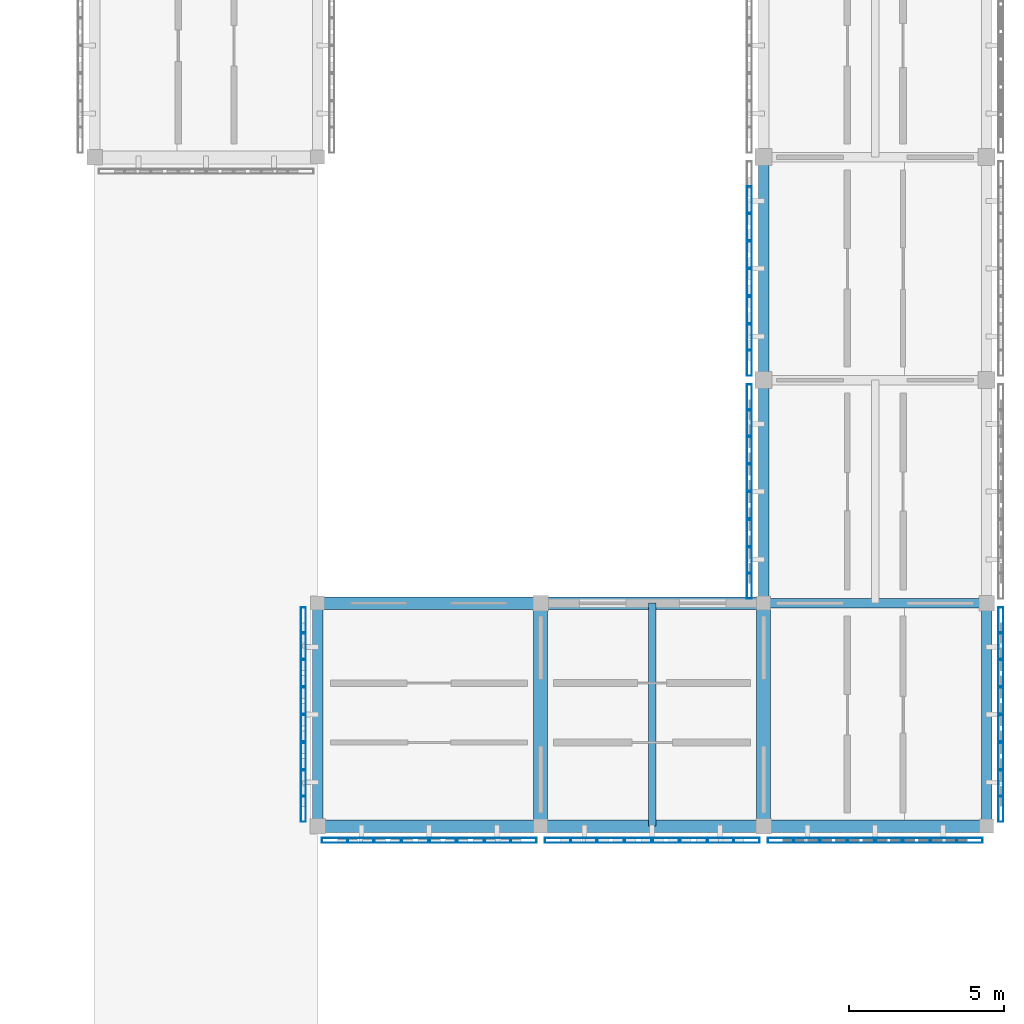
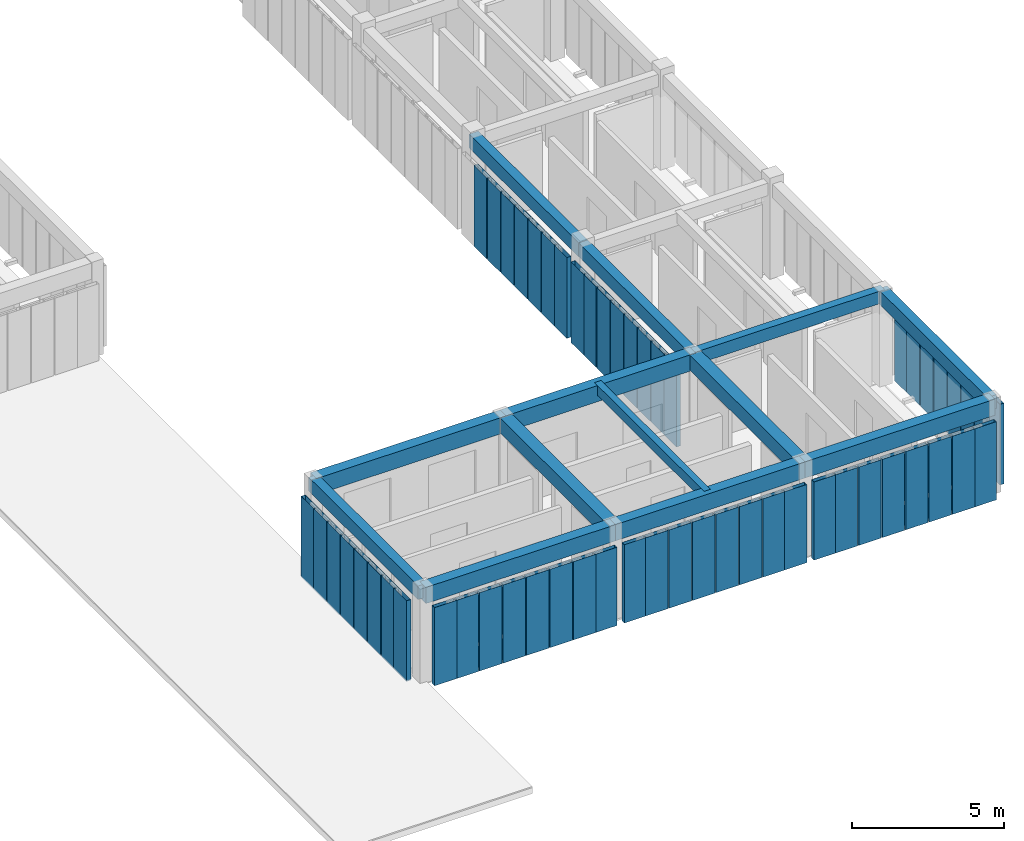
# One storey, part 9 of 67: 55 members, 13 beams, 7 elements without a shape of their own.
"""IFC4 building model written with IfcOpenShell, lengths in metres."""

from ifc_helpers import new_model, si_unit, direction, frame, origin, origin_2d, place, context, subcontext, project, spatial, rectangle, hollow_rectangle, extrude, material, material_profile, profile_set, type_object, element, aggregate, save


model = new_model("IFC4")

# Units and contexts
model_context = context("Model", 3, precision=1e-05, world=origin(), true_north=direction((0.0, 1.0)))
body_context = subcontext(model_context, "Body", "Model", "MODEL_VIEW")
ifc_project = project(units=[si_unit("LENGTHUNIT", "METRE"), si_unit("AREAUNIT", "SQUARE_METRE"), si_unit("VOLUMEUNIT", "CUBIC_METRE"), si_unit("PLANEANGLEUNIT", "RADIAN"), si_unit("MASSUNIT", "GRAM", prefix="KILO")], contexts=[model_context])

# Site, building, storey
site_placement = place(None, origin())
site = spatial("IfcSite", under=ifc_project, at=site_placement, CompositionType="ELEMENT")
building_placement = place(site_placement, origin())
building = spatial("IfcBuilding", under=site, at=building_placement, Name="Aldebral Square Health Centre", CompositionType="ELEMENT")
storey_placement = place(building_placement, frame((0.0, 0.0, 13.5)))
storey = spatial("IfcBuildingStorey", under=building, at=storey_placement, Name="L03", CompositionType="ELEMENT", Elevation=13.5)

# Beams
ifc_material_1 = material(Name="Concrete C40/50", Category="concrete")
ifc_material_profile_1 = material_profile(ifc_material_1, rectangle(XDim=0.39990234375, YDim=0.64990234375, at=origin_2d()), Name="RC 400x650")
ifc_profile_set_1 = profile_set([ifc_material_profile_1], Name="Concrete C40/50")
beam_type_1 = type_object("IfcBeamType", Name="BM-B1", PredefinedType="BEAM", material=ifc_profile_set_1)
for number, where, z_axis, x_axis, name in (
    (1, (144.0, 57.60009765625, 3.465087890625), (1.0, 0.0, 0.0), (0.0, 1.0, 0.0), "L03 X-beam 21-22/G9"),
    (2, (144.0, 64.800048828125, 3.465087890625), (1.0, 0.0, 0.0), (0.0, 1.0, 0.0), "L03 X-beam 21-22/G10"),
    (3, (151.199951171875, 57.60009765625, 3.465087890625), (1.0, 0.0, 0.0), (0.0, 1.0, 0.0), "L03 X-beam 22-23/G9"),
    (4, (151.199951171875, 64.800048828125, 3.465087890625), (1.0, 0.0, 0.0), (0.0, 1.0, 0.0), "L03 X-beam 22-23/G10"),
):
    element("IfcBeam", number, at=place(storey_placement, frame(where, z_axis=z_axis, x_axis=x_axis)), inside=storey, type_object=beam_type_1, Name=name, PredefinedType="BEAM", context=body_context, shape_type="SweptSolid", body=[
        extrude(rectangle(XDim=0.39990234375, YDim=0.64990234375, at=origin_2d()), origin(), (0.0, 0.0, 1.0), 7.199951171875),
    ])
beam_1_placement = place(storey_placement, frame((158.39990234375, 57.60009765625, 3.465087890625), z_axis=(1.0, 0.0, 0.0), x_axis=(0.0, 1.0, 0.0)))
element("IfcBeam", 5, at=beam_1_placement, inside=storey, type_object=beam_type_1, Name="L03 X-beam 23-24/G9", PredefinedType="BEAM", context=body_context, shape_type="SweptSolid", body=[
    extrude(rectangle(XDim=0.39990234375, YDim=0.64990234375, at=origin_2d()), origin(), (0.0, 0.0, 1.0), 7.2001953125),
])
ifc_material_profile_2 = material_profile(ifc_material_1, rectangle(XDim=0.35009765625, YDim=0.550048828125, at=origin_2d()), Name="RC 350x550")
ifc_profile_set_2 = profile_set([ifc_material_profile_2], Name="Concrete C40/50")
beam_type_2 = type_object("IfcBeamType", Name="BM-B3", PredefinedType="BEAM", material=ifc_profile_set_2)
for number, where, z_axis, x_axis, name in (
    (6, (144.0, 57.60009765625, 3.514892578125), (0.0, 1.0, 0.0), (-1.0, 0.0, 0.0), "L03 Y-beam G21/9-10"),
    (7, (158.39990234375, 64.800048828125, 3.514892578125), (0.0, 1.0, 0.0), (-1.0, 0.0, 0.0), "L03 Y-beam G23/10-11"),
    (8, (158.39990234375, 72.0, 3.514892578125), (0.0, 1.0, 0.0), (-1.0, 0.0, 0.0), "L03 Y-beam G23/11-12"),
    (9, (165.60009765625, 57.60009765625, 3.514892578125), (0.0, 1.0, 0.0), (-1.0, 0.0, 0.0), "L03 Y-beam G24/9-10"),
):
    element("IfcBeam", number, at=place(storey_placement, frame(where, z_axis=z_axis, x_axis=x_axis)), inside=storey, type_object=beam_type_2, Name=name, PredefinedType="BEAM", context=body_context, shape_type="SweptSolid", body=[
        extrude(rectangle(XDim=0.35009765625, YDim=0.550048828125, at=origin_2d()), origin(), (0.0, 0.0, 1.0), 7.199951171875),
    ])
ifc_material_profile_3 = material_profile(ifc_material_1, rectangle(XDim=0.300048828125, YDim=0.5, at=origin_2d()), Name="RC 300x500")
ifc_profile_set_3 = profile_set([ifc_material_profile_3], Name="Concrete C40/50")
beam_type_3 = type_object("IfcBeamType", Name="BM-B4", PredefinedType="BEAM", material=ifc_profile_set_3)
beam_2_placement = place(storey_placement, frame((158.39990234375, 64.800048828125, 3.5400390625), z_axis=(1.0, 0.0, 0.0), x_axis=(0.0, 1.0, 0.0)))
element("IfcBeam", 10, at=beam_2_placement, inside=storey, type_object=beam_type_3, Name="L03 X-beam 23-24/G10", PredefinedType="BEAM", context=body_context, shape_type="SweptSolid", body=[
    extrude(rectangle(XDim=0.300048828125, YDim=0.5, at=origin_2d()), origin(), (0.0, 0.0, 1.0), 7.2001953125),
])
ifc_material_profile_4 = material_profile(ifc_material_1, rectangle(XDim=0.25, YDim=0.39990234375, at=origin_2d()), Name="RC 250x400")
ifc_profile_set_4 = profile_set([ifc_material_profile_4], Name="Concrete C40/50")
beam_type_4 = type_object("IfcBeamType", Name="BM-B6", PredefinedType="JOIST", material=ifc_profile_set_4)
beam_3_placement = place(storey_placement, frame((154.800048828125, 57.60009765625, 3.590087890625), z_axis=(0.0, 1.0, 0.0), x_axis=(-1.0, 0.0, 0.0)))
element("IfcBeam", 11, at=beam_3_placement, inside=storey, type_object=beam_type_4, Name="L03 secondary rib 22.9", PredefinedType="JOIST", context=body_context, shape_type="SweptSolid", body=[
    extrude(rectangle(XDim=0.25, YDim=0.39990234375, at=origin_2d()), origin(), (0.0, 0.0, 1.0), 7.199951171875),
])
ifc_material_profile_5 = material_profile(ifc_material_1, rectangle(XDim=0.449951171875, YDim=0.60009765625, at=origin_2d()), Name="RC 450x600")
ifc_profile_set_5 = profile_set([ifc_material_profile_5], Name="Concrete C40/50")
beam_type_5 = type_object("IfcBeamType", Name="BM-LN1", PredefinedType="LINTEL", material=ifc_profile_set_5)
for number, where, z_axis, x_axis, name in (
    (12, (151.199951171875, 57.60009765625, 3.489990234375), (0.0, 1.0, 0.0), (-1.0, 0.0, 0.0), "L03 Y-beam G22/9-10"),
    (13, (158.39990234375, 57.60009765625, 3.489990234375), (0.0, 1.0, 0.0), (-1.0, 0.0, 0.0), "L03 Y-beam G23/9-10"),
):
    element("IfcBeam", number, at=place(storey_placement, frame(where, z_axis=z_axis, x_axis=x_axis)), inside=storey, type_object=beam_type_5, Name=name, PredefinedType="LINTEL", context=body_context, shape_type="SweptSolid", body=[
        extrude(rectangle(XDim=0.449951171875, YDim=0.60009765625, at=origin_2d()), origin(), (0.0, 0.0, 1.0), 7.199951171875),
    ])

# Curtain wall, members
ifc_material_2 = material(Name="Aluminium and low-E solar glass", Category="aluminium")
curtain_wall_type = type_object("IfcCurtainWallType", Name="CW-FIN-SYS", PredefinedType="USERDEFINED", material=ifc_material_2)
curtain_wall_1_placement = place(storey_placement, origin())
curtain_wall_1 = element("IfcCurtainWall", 14, at=curtain_wall_1_placement, inside=storey, type_object=curtain_wall_type, Name="L03 V5 finned curtain wall L03-V5-20-08-S", ObjectType="SOLAR_CURTAIN_WALL", PredefinedType="USERDEFINED")
ifc_material_3 = material(Name="Sienna-terracotta clad aluminium fin", Category="masonry")
ifc_material_profile_6 = material_profile(ifc_material_3, hollow_rectangle(XDim=0.159912109375, YDim=0.85009765625, WallThickness=0.006103515625, at=origin_2d()), Name="FIN 160x850x6")
ifc_profile_set_6 = profile_set([ifc_material_profile_6], Name="Sienna-terracotta clad aluminium fin")
member_type = type_object("IfcMemberType", Name="CWM-FIN", PredefinedType="MULLION", material=ifc_profile_set_6)
member_1_placement = place(storey_placement, frame((144.56005859375, 57.139892578125, 0.0), z_axis=(0.0, 0.0, 1.0), x_axis=(0.0, 1.0, 0.0)))
member_1 = element("IfcMember", 15, at=member_1_placement, type_object=member_type, Name="CW1 mullion 1", PredefinedType="MULLION", context=body_context, shape_type="SweptSolid", body=[
    extrude(hollow_rectangle(XDim=0.159912109375, YDim=0.85009765625, WallThickness=0.006103515625, at=origin_2d()), origin(), (0.0, 0.0, 1.0), 3.139892578125),
])
member_2_placement = place(storey_placement, frame((145.371337890625, 57.139892578125, 0.0), z_axis=(0.0, 0.0, 1.0), x_axis=(0.0, 1.0, 0.0)))
member_2 = element("IfcMember", 16, at=member_2_placement, type_object=member_type, Name="CW1 mullion 2", PredefinedType="MULLION", context=body_context, shape_type="SweptSolid", body=[
    extrude(hollow_rectangle(XDim=0.159912109375, YDim=0.85009765625, WallThickness=0.006103515625, at=origin_2d()), origin(), (0.0, 0.0, 1.0), 3.139892578125),
])
member_3_placement = place(storey_placement, frame((146.262939453125, 57.139892578125, 0.0), z_axis=(0.0, 0.0, 1.0), x_axis=(0.0, 1.0, 0.0)))
member_3 = element("IfcMember", 17, at=member_3_placement, type_object=member_type, Name="CW1 mullion 3", PredefinedType="MULLION", context=body_context, shape_type="SweptSolid", body=[
    extrude(hollow_rectangle(XDim=0.159912109375, YDim=0.85009765625, WallThickness=0.006103515625, at=origin_2d()), origin(), (0.0, 0.0, 1.0), 3.139892578125),
])
member_4_placement = place(storey_placement, frame((147.154296875, 57.139892578125, 0.0), z_axis=(0.0, 0.0, 1.0), x_axis=(0.0, 1.0, 0.0)))
member_4 = element("IfcMember", 18, at=member_4_placement, type_object=member_type, Name="CW1 mullion 4", PredefinedType="MULLION", context=body_context, shape_type="SweptSolid", body=[
    extrude(hollow_rectangle(XDim=0.159912109375, YDim=0.85009765625, WallThickness=0.006103515625, at=origin_2d()), origin(), (0.0, 0.0, 1.0), 3.139892578125),
])
member_5_placement = place(storey_placement, frame((148.045654296875, 57.139892578125, 0.0), z_axis=(0.0, 0.0, 1.0), x_axis=(0.0, 1.0, 0.0)))
member_5 = element("IfcMember", 19, at=member_5_placement, type_object=member_type, Name="CW1 mullion 5", PredefinedType="MULLION", context=body_context, shape_type="SweptSolid", body=[
    extrude(hollow_rectangle(XDim=0.159912109375, YDim=0.85009765625, WallThickness=0.006103515625, at=origin_2d()), origin(), (0.0, 0.0, 1.0), 3.139892578125),
])
member_6_placement = place(storey_placement, frame((148.937255859375, 57.139892578125, 0.0), z_axis=(0.0, 0.0, 1.0), x_axis=(0.0, 1.0, 0.0)))
member_6 = element("IfcMember", 20, at=member_6_placement, type_object=member_type, Name="CW1 mullion 6", PredefinedType="MULLION", context=body_context, shape_type="SweptSolid", body=[
    extrude(hollow_rectangle(XDim=0.159912109375, YDim=0.85009765625, WallThickness=0.006103515625, at=origin_2d()), origin(), (0.0, 0.0, 1.0), 3.139892578125),
])
member_7_placement = place(storey_placement, frame((149.82861328125, 57.139892578125, 0.0), z_axis=(0.0, 0.0, 1.0), x_axis=(0.0, 1.0, 0.0)))
member_7 = element("IfcMember", 21, at=member_7_placement, type_object=member_type, Name="CW1 mullion 7", PredefinedType="MULLION", context=body_context, shape_type="SweptSolid", body=[
    extrude(hollow_rectangle(XDim=0.159912109375, YDim=0.85009765625, WallThickness=0.006103515625, at=origin_2d()), origin(), (0.0, 0.0, 1.0), 3.139892578125),
])
member_8_placement = place(storey_placement, frame((150.639892578125, 57.139892578125, 0.0), z_axis=(0.0, 0.0, 1.0), x_axis=(0.0, 1.0, 0.0)))
member_8 = element("IfcMember", 22, at=member_8_placement, type_object=member_type, Name="CW1 mullion 8", PredefinedType="MULLION", context=body_context, shape_type="SweptSolid", body=[
    extrude(hollow_rectangle(XDim=0.159912109375, YDim=0.85009765625, WallThickness=0.006103515625, at=origin_2d()), origin(), (0.0, 0.0, 1.0), 3.139892578125),
])
aggregate(curtain_wall_1, [member_1, member_2, member_3, member_4, member_5, member_6, member_7, member_8])

curtain_wall_2_placement = place(storey_placement, origin())
curtain_wall_2 = element("IfcCurtainWall", 23, at=curtain_wall_2_placement, inside=storey, type_object=curtain_wall_type, Name="L03 V5 finned curtain wall L03-V5-20-08-W", ObjectType="SOLAR_CURTAIN_WALL", PredefinedType="USERDEFINED")
member_9_placement = place(storey_placement, frame((143.5400390625, 64.239990234375, 0.0), z_axis=(0.0, 0.0, 1.0), x_axis=(1.0, 0.0, 0.0)))
member_9 = element("IfcMember", 24, at=member_9_placement, type_object=member_type, Name="CW1 mullion 1", PredefinedType="MULLION", context=body_context, shape_type="SweptSolid", body=[
    extrude(hollow_rectangle(XDim=0.159912109375, YDim=0.85009765625, WallThickness=0.006103515625, at=origin_2d()), origin(), (0.0, 0.0, 1.0), 3.239990234375),
])
member_10_placement = place(storey_placement, frame((143.5400390625, 63.428466796875, 0.0), z_axis=(0.0, 0.0, 1.0), x_axis=(1.0, 0.0, 0.0)))
member_10 = element("IfcMember", 25, at=member_10_placement, type_object=member_type, Name="CW1 mullion 2", PredefinedType="MULLION", context=body_context, shape_type="SweptSolid", body=[
    extrude(hollow_rectangle(XDim=0.159912109375, YDim=0.85009765625, WallThickness=0.006103515625, at=origin_2d()), origin(), (0.0, 0.0, 1.0), 3.239990234375),
])
member_11_placement = place(storey_placement, frame((143.5400390625, 62.537109375, 0.0), z_axis=(0.0, 0.0, 1.0), x_axis=(1.0, 0.0, 0.0)))
member_11 = element("IfcMember", 26, at=member_11_placement, type_object=member_type, Name="CW1 mullion 3", PredefinedType="MULLION", context=body_context, shape_type="SweptSolid", body=[
    extrude(hollow_rectangle(XDim=0.159912109375, YDim=0.85009765625, WallThickness=0.006103515625, at=origin_2d()), origin(), (0.0, 0.0, 1.0), 3.239990234375),
])
member_12_placement = place(storey_placement, frame((143.5400390625, 61.645751953125, 0.0), z_axis=(0.0, 0.0, 1.0), x_axis=(1.0, 0.0, 0.0)))
member_12 = element("IfcMember", 27, at=member_12_placement, type_object=member_type, Name="CW1 mullion 4", PredefinedType="MULLION", context=body_context, shape_type="SweptSolid", body=[
    extrude(hollow_rectangle(XDim=0.159912109375, YDim=0.85009765625, WallThickness=0.006103515625, at=origin_2d()), origin(), (0.0, 0.0, 1.0), 3.239990234375),
])
member_13_placement = place(storey_placement, frame((143.5400390625, 60.75439453125, 0.0), z_axis=(0.0, 0.0, 1.0), x_axis=(1.0, 0.0, 0.0)))
member_13 = element("IfcMember", 28, at=member_13_placement, type_object=member_type, Name="CW1 mullion 5", PredefinedType="MULLION", context=body_context, shape_type="SweptSolid", body=[
    extrude(hollow_rectangle(XDim=0.159912109375, YDim=0.85009765625, WallThickness=0.006103515625, at=origin_2d()), origin(), (0.0, 0.0, 1.0), 3.239990234375),
])
member_14_placement = place(storey_placement, frame((143.5400390625, 59.86279296875, 0.0), z_axis=(0.0, 0.0, 1.0), x_axis=(1.0, 0.0, 0.0)))
member_14 = element("IfcMember", 29, at=member_14_placement, type_object=member_type, Name="CW1 mullion 6", PredefinedType="MULLION", context=body_context, shape_type="SweptSolid", body=[
    extrude(hollow_rectangle(XDim=0.159912109375, YDim=0.85009765625, WallThickness=0.006103515625, at=origin_2d()), origin(), (0.0, 0.0, 1.0), 3.239990234375),
])
member_15_placement = place(storey_placement, frame((143.5400390625, 58.971435546875, 0.0), z_axis=(0.0, 0.0, 1.0), x_axis=(1.0, 0.0, 0.0)))
member_15 = element("IfcMember", 30, at=member_15_placement, type_object=member_type, Name="CW1 mullion 7", PredefinedType="MULLION", context=body_context, shape_type="SweptSolid", body=[
    extrude(hollow_rectangle(XDim=0.159912109375, YDim=0.85009765625, WallThickness=0.006103515625, at=origin_2d()), origin(), (0.0, 0.0, 1.0), 3.239990234375),
])
member_16_placement = place(storey_placement, frame((143.5400390625, 58.159912109375, 0.0), z_axis=(0.0, 0.0, 1.0), x_axis=(1.0, 0.0, 0.0)))
member_16 = element("IfcMember", 31, at=member_16_placement, type_object=member_type, Name="CW1 mullion 8", PredefinedType="MULLION", context=body_context, shape_type="SweptSolid", body=[
    extrude(hollow_rectangle(XDim=0.159912109375, YDim=0.85009765625, WallThickness=0.006103515625, at=origin_2d()), origin(), (0.0, 0.0, 1.0), 3.239990234375),
])
aggregate(curtain_wall_2, [member_9, member_10, member_11, member_12, member_13, member_14, member_15, member_16])

curtain_wall_3_placement = place(storey_placement, origin())
curtain_wall_3 = element("IfcCurtainWall", 32, at=curtain_wall_3_placement, inside=storey, type_object=curtain_wall_type, Name="L03 V5 finned curtain wall L03-V5-21-08-S", ObjectType="SOLAR_CURTAIN_WALL", PredefinedType="USERDEFINED")
member_17_placement = place(storey_placement, frame((151.760009765625, 57.139892578125, 0.0), z_axis=(0.0, 0.0, 1.0), x_axis=(0.0, 1.0, 0.0)))
member_17 = element("IfcMember", 33, at=member_17_placement, type_object=member_type, Name="CW1 mullion 1", PredefinedType="MULLION", context=body_context, shape_type="SweptSolid", body=[
    extrude(hollow_rectangle(XDim=0.159912109375, YDim=0.85009765625, WallThickness=0.006103515625, at=origin_2d()), origin(), (0.0, 0.0, 1.0), 3.139892578125),
])
member_18_placement = place(storey_placement, frame((152.571533203125, 57.139892578125, 0.0), z_axis=(0.0, 0.0, 1.0), x_axis=(0.0, 1.0, 0.0)))
member_18 = element("IfcMember", 34, at=member_18_placement, type_object=member_type, Name="CW1 mullion 2", PredefinedType="MULLION", context=body_context, shape_type="SweptSolid", body=[
    extrude(hollow_rectangle(XDim=0.159912109375, YDim=0.85009765625, WallThickness=0.006103515625, at=origin_2d()), origin(), (0.0, 0.0, 1.0), 3.139892578125),
])
member_19_placement = place(storey_placement, frame((153.462890625, 57.139892578125, 0.0), z_axis=(0.0, 0.0, 1.0), x_axis=(0.0, 1.0, 0.0)))
member_19 = element("IfcMember", 35, at=member_19_placement, type_object=member_type, Name="CW1 mullion 3", PredefinedType="MULLION", context=body_context, shape_type="SweptSolid", body=[
    extrude(hollow_rectangle(XDim=0.159912109375, YDim=0.85009765625, WallThickness=0.006103515625, at=origin_2d()), origin(), (0.0, 0.0, 1.0), 3.139892578125),
])
member_20_placement = place(storey_placement, frame((154.354248046875, 57.139892578125, 0.0), z_axis=(0.0, 0.0, 1.0), x_axis=(0.0, 1.0, 0.0)))
member_20 = element("IfcMember", 36, at=member_20_placement, type_object=member_type, Name="CW1 mullion 4", PredefinedType="MULLION", context=body_context, shape_type="SweptSolid", body=[
    extrude(hollow_rectangle(XDim=0.159912109375, YDim=0.85009765625, WallThickness=0.006103515625, at=origin_2d()), origin(), (0.0, 0.0, 1.0), 3.139892578125),
])
member_21_placement = place(storey_placement, frame((155.24560546875, 57.139892578125, 0.0), z_axis=(0.0, 0.0, 1.0), x_axis=(0.0, 1.0, 0.0)))
member_21 = element("IfcMember", 37, at=member_21_placement, type_object=member_type, Name="CW1 mullion 5", PredefinedType="MULLION", context=body_context, shape_type="SweptSolid", body=[
    extrude(hollow_rectangle(XDim=0.159912109375, YDim=0.85009765625, WallThickness=0.006103515625, at=origin_2d()), origin(), (0.0, 0.0, 1.0), 3.139892578125),
])
member_22_placement = place(storey_placement, frame((156.13720703125, 57.139892578125, 0.0), z_axis=(0.0, 0.0, 1.0), x_axis=(0.0, 1.0, 0.0)))
member_22 = element("IfcMember", 38, at=member_22_placement, type_object=member_type, Name="CW1 mullion 6", PredefinedType="MULLION", context=body_context, shape_type="SweptSolid", body=[
    extrude(hollow_rectangle(XDim=0.159912109375, YDim=0.85009765625, WallThickness=0.006103515625, at=origin_2d()), origin(), (0.0, 0.0, 1.0), 3.139892578125),
])
member_23_placement = place(storey_placement, frame((157.028564453125, 57.139892578125, 0.0), z_axis=(0.0, 0.0, 1.0), x_axis=(0.0, 1.0, 0.0)))
member_23 = element("IfcMember", 39, at=member_23_placement, type_object=member_type, Name="CW1 mullion 7", PredefinedType="MULLION", context=body_context, shape_type="SweptSolid", body=[
    extrude(hollow_rectangle(XDim=0.159912109375, YDim=0.85009765625, WallThickness=0.006103515625, at=origin_2d()), origin(), (0.0, 0.0, 1.0), 3.139892578125),
])
member_24_placement = place(storey_placement, frame((157.840087890625, 57.139892578125, 0.0), z_axis=(0.0, 0.0, 1.0), x_axis=(0.0, 1.0, 0.0)))
member_24 = element("IfcMember", 40, at=member_24_placement, type_object=member_type, Name="CW1 mullion 8", PredefinedType="MULLION", context=body_context, shape_type="SweptSolid", body=[
    extrude(hollow_rectangle(XDim=0.159912109375, YDim=0.85009765625, WallThickness=0.006103515625, at=origin_2d()), origin(), (0.0, 0.0, 1.0), 3.139892578125),
])
aggregate(curtain_wall_3, [member_17, member_18, member_19, member_20, member_21, member_22, member_23, member_24])

curtain_wall_4_placement = place(storey_placement, origin())
curtain_wall_4 = element("IfcCurtainWall", 41, at=curtain_wall_4_placement, inside=storey, type_object=curtain_wall_type, Name="L03 V5 finned curtain wall L03-V5-22-08-S", ObjectType="SOLAR_CURTAIN_WALL", PredefinedType="USERDEFINED")
member_25_placement = place(storey_placement, frame((158.9599609375, 57.139892578125, 0.0), z_axis=(0.0, 0.0, 1.0), x_axis=(0.0, 1.0, 0.0)))
member_25 = element("IfcMember", 42, at=member_25_placement, type_object=member_type, Name="CW1 mullion 1", PredefinedType="MULLION", context=body_context, shape_type="SweptSolid", body=[
    extrude(hollow_rectangle(XDim=0.159912109375, YDim=0.85009765625, WallThickness=0.006103515625, at=origin_2d()), origin(), (0.0, 0.0, 1.0), 3.139892578125),
])
member_26_placement = place(storey_placement, frame((159.771484375, 57.139892578125, 0.0), z_axis=(0.0, 0.0, 1.0), x_axis=(0.0, 1.0, 0.0)))
member_26 = element("IfcMember", 43, at=member_26_placement, type_object=member_type, Name="CW1 mullion 2", PredefinedType="MULLION", context=body_context, shape_type="SweptSolid", body=[
    extrude(hollow_rectangle(XDim=0.159912109375, YDim=0.85009765625, WallThickness=0.006103515625, at=origin_2d()), origin(), (0.0, 0.0, 1.0), 3.139892578125),
])
member_27_placement = place(storey_placement, frame((160.662841796875, 57.139892578125, 0.0), z_axis=(0.0, 0.0, 1.0), x_axis=(0.0, 1.0, 0.0)))
member_27 = element("IfcMember", 44, at=member_27_placement, type_object=member_type, Name="CW1 mullion 3", PredefinedType="MULLION", context=body_context, shape_type="SweptSolid", body=[
    extrude(hollow_rectangle(XDim=0.159912109375, YDim=0.85009765625, WallThickness=0.006103515625, at=origin_2d()), origin(), (0.0, 0.0, 1.0), 3.139892578125),
])
member_28_placement = place(storey_placement, frame((161.55419921875, 57.139892578125, 0.0), z_axis=(0.0, 0.0, 1.0), x_axis=(0.0, 1.0, 0.0)))
member_28 = element("IfcMember", 45, at=member_28_placement, type_object=member_type, Name="CW1 mullion 4", PredefinedType="MULLION", context=body_context, shape_type="SweptSolid", body=[
    extrude(hollow_rectangle(XDim=0.159912109375, YDim=0.85009765625, WallThickness=0.006103515625, at=origin_2d()), origin(), (0.0, 0.0, 1.0), 3.139892578125),
])
member_29_placement = place(storey_placement, frame((162.44580078125, 57.139892578125, 0.0), z_axis=(0.0, 0.0, 1.0), x_axis=(0.0, 1.0, 0.0)))
member_29 = element("IfcMember", 46, at=member_29_placement, type_object=member_type, Name="CW1 mullion 5", PredefinedType="MULLION", context=body_context, shape_type="SweptSolid", body=[
    extrude(hollow_rectangle(XDim=0.159912109375, YDim=0.85009765625, WallThickness=0.006103515625, at=origin_2d()), origin(), (0.0, 0.0, 1.0), 3.139892578125),
])
member_30_placement = place(storey_placement, frame((163.337158203125, 57.139892578125, 0.0), z_axis=(0.0, 0.0, 1.0), x_axis=(0.0, 1.0, 0.0)))
member_30 = element("IfcMember", 47, at=member_30_placement, type_object=member_type, Name="CW1 mullion 6", PredefinedType="MULLION", context=body_context, shape_type="SweptSolid", body=[
    extrude(hollow_rectangle(XDim=0.159912109375, YDim=0.85009765625, WallThickness=0.006103515625, at=origin_2d()), origin(), (0.0, 0.0, 1.0), 3.139892578125),
])
member_31_placement = place(storey_placement, frame((164.228515625, 57.139892578125, 0.0), z_axis=(0.0, 0.0, 1.0), x_axis=(0.0, 1.0, 0.0)))
member_31 = element("IfcMember", 48, at=member_31_placement, type_object=member_type, Name="CW1 mullion 7", PredefinedType="MULLION", context=body_context, shape_type="SweptSolid", body=[
    extrude(hollow_rectangle(XDim=0.159912109375, YDim=0.85009765625, WallThickness=0.006103515625, at=origin_2d()), origin(), (0.0, 0.0, 1.0), 3.139892578125),
])
member_32_placement = place(storey_placement, frame((165.0400390625, 57.139892578125, 0.0), z_axis=(0.0, 0.0, 1.0), x_axis=(0.0, 1.0, 0.0)))
member_32 = element("IfcMember", 49, at=member_32_placement, type_object=member_type, Name="CW1 mullion 8", PredefinedType="MULLION", context=body_context, shape_type="SweptSolid", body=[
    extrude(hollow_rectangle(XDim=0.159912109375, YDim=0.85009765625, WallThickness=0.006103515625, at=origin_2d()), origin(), (0.0, 0.0, 1.0), 3.139892578125),
])
aggregate(curtain_wall_4, [member_25, member_26, member_27, member_28, member_29, member_30, member_31, member_32])

curtain_wall_5_placement = place(storey_placement, origin())
curtain_wall_5 = element("IfcCurtainWall", 50, at=curtain_wall_5_placement, inside=storey, type_object=curtain_wall_type, Name="L03 V5 finned curtain wall L03-V5-22-08-E", ObjectType="SOLAR_CURTAIN_WALL", PredefinedType="USERDEFINED")
member_33_placement = place(storey_placement, frame((166.06005859375, 58.159912109375, 0.0), z_axis=(0.0, 0.0, 1.0), x_axis=(-1.0, 0.0, 0.0)))
member_33 = element("IfcMember", 51, at=member_33_placement, type_object=member_type, Name="CW1 mullion 1", PredefinedType="MULLION", context=body_context, shape_type="SweptSolid", body=[
    extrude(hollow_rectangle(XDim=0.159912109375, YDim=0.85009765625, WallThickness=0.006103515625, at=origin_2d()), origin(), (0.0, 0.0, 1.0), 3.239990234375),
])
member_34_placement = place(storey_placement, frame((166.06005859375, 58.971435546875, 0.0), z_axis=(0.0, 0.0, 1.0), x_axis=(-1.0, 0.0, 0.0)))
member_34 = element("IfcMember", 52, at=member_34_placement, type_object=member_type, Name="CW1 mullion 2", PredefinedType="MULLION", context=body_context, shape_type="SweptSolid", body=[
    extrude(hollow_rectangle(XDim=0.159912109375, YDim=0.85009765625, WallThickness=0.006103515625, at=origin_2d()), origin(), (0.0, 0.0, 1.0), 3.239990234375),
])
member_35_placement = place(storey_placement, frame((166.06005859375, 59.86279296875, 0.0), z_axis=(0.0, 0.0, 1.0), x_axis=(-1.0, 0.0, 0.0)))
member_35 = element("IfcMember", 53, at=member_35_placement, type_object=member_type, Name="CW1 mullion 3", PredefinedType="MULLION", context=body_context, shape_type="SweptSolid", body=[
    extrude(hollow_rectangle(XDim=0.159912109375, YDim=0.85009765625, WallThickness=0.006103515625, at=origin_2d()), origin(), (0.0, 0.0, 1.0), 3.239990234375),
])
member_36_placement = place(storey_placement, frame((166.06005859375, 60.75439453125, 0.0), z_axis=(0.0, 0.0, 1.0), x_axis=(-1.0, 0.0, 0.0)))
member_36 = element("IfcMember", 54, at=member_36_placement, type_object=member_type, Name="CW1 mullion 4", PredefinedType="MULLION", context=body_context, shape_type="SweptSolid", body=[
    extrude(hollow_rectangle(XDim=0.159912109375, YDim=0.85009765625, WallThickness=0.006103515625, at=origin_2d()), origin(), (0.0, 0.0, 1.0), 3.239990234375),
])
member_37_placement = place(storey_placement, frame((166.06005859375, 61.645751953125, 0.0), z_axis=(0.0, 0.0, 1.0), x_axis=(-1.0, 0.0, 0.0)))
member_37 = element("IfcMember", 55, at=member_37_placement, type_object=member_type, Name="CW1 mullion 5", PredefinedType="MULLION", context=body_context, shape_type="SweptSolid", body=[
    extrude(hollow_rectangle(XDim=0.159912109375, YDim=0.85009765625, WallThickness=0.006103515625, at=origin_2d()), origin(), (0.0, 0.0, 1.0), 3.239990234375),
])
member_38_placement = place(storey_placement, frame((166.06005859375, 62.537109375, 0.0), z_axis=(0.0, 0.0, 1.0), x_axis=(-1.0, 0.0, 0.0)))
member_38 = element("IfcMember", 56, at=member_38_placement, type_object=member_type, Name="CW1 mullion 6", PredefinedType="MULLION", context=body_context, shape_type="SweptSolid", body=[
    extrude(hollow_rectangle(XDim=0.159912109375, YDim=0.85009765625, WallThickness=0.006103515625, at=origin_2d()), origin(), (0.0, 0.0, 1.0), 3.239990234375),
])
member_39_placement = place(storey_placement, frame((166.06005859375, 63.428466796875, 0.0), z_axis=(0.0, 0.0, 1.0), x_axis=(-1.0, 0.0, 0.0)))
member_39 = element("IfcMember", 57, at=member_39_placement, type_object=member_type, Name="CW1 mullion 7", PredefinedType="MULLION", context=body_context, shape_type="SweptSolid", body=[
    extrude(hollow_rectangle(XDim=0.159912109375, YDim=0.85009765625, WallThickness=0.006103515625, at=origin_2d()), origin(), (0.0, 0.0, 1.0), 3.239990234375),
])
member_40_placement = place(storey_placement, frame((166.06005859375, 64.239990234375, 0.0), z_axis=(0.0, 0.0, 1.0), x_axis=(-1.0, 0.0, 0.0)))
member_40 = element("IfcMember", 58, at=member_40_placement, type_object=member_type, Name="CW1 mullion 8", PredefinedType="MULLION", context=body_context, shape_type="SweptSolid", body=[
    extrude(hollow_rectangle(XDim=0.159912109375, YDim=0.85009765625, WallThickness=0.006103515625, at=origin_2d()), origin(), (0.0, 0.0, 1.0), 3.239990234375),
])
aggregate(curtain_wall_5, [member_33, member_34, member_35, member_36, member_37, member_38, member_39, member_40])

curtain_wall_6_placement = place(storey_placement, origin())
curtain_wall_6 = element("IfcCurtainWall", 59, at=curtain_wall_6_placement, inside=storey, type_object=curtain_wall_type, Name="L03 V5 finned curtain wall L03-V5-22-09-W", ObjectType="SOLAR_CURTAIN_WALL", PredefinedType="USERDEFINED")
member_41_placement = place(storey_placement, frame((157.93994140625, 71.43994140625, 0.0), z_axis=(0.0, 0.0, 1.0), x_axis=(1.0, 0.0, 0.0)))
member_41 = element("IfcMember", 60, at=member_41_placement, type_object=member_type, Name="CW1 mullion 1", PredefinedType="MULLION", context=body_context, shape_type="SweptSolid", body=[
    extrude(hollow_rectangle(XDim=0.159912109375, YDim=0.85009765625, WallThickness=0.006103515625, at=origin_2d()), origin(), (0.0, 0.0, 1.0), 3.239990234375),
])
member_42_placement = place(storey_placement, frame((157.93994140625, 70.628662109375, 0.0), z_axis=(0.0, 0.0, 1.0), x_axis=(1.0, 0.0, 0.0)))
member_42 = element("IfcMember", 61, at=member_42_placement, type_object=member_type, Name="CW1 mullion 2", PredefinedType="MULLION", context=body_context, shape_type="SweptSolid", body=[
    extrude(hollow_rectangle(XDim=0.159912109375, YDim=0.85009765625, WallThickness=0.006103515625, at=origin_2d()), origin(), (0.0, 0.0, 1.0), 3.239990234375),
])
member_43_placement = place(storey_placement, frame((157.93994140625, 69.737060546875, 0.0), z_axis=(0.0, 0.0, 1.0), x_axis=(1.0, 0.0, 0.0)))
member_43 = element("IfcMember", 62, at=member_43_placement, type_object=member_type, Name="CW1 mullion 3", PredefinedType="MULLION", context=body_context, shape_type="SweptSolid", body=[
    extrude(hollow_rectangle(XDim=0.159912109375, YDim=0.85009765625, WallThickness=0.006103515625, at=origin_2d()), origin(), (0.0, 0.0, 1.0), 3.239990234375),
])
member_44_placement = place(storey_placement, frame((157.93994140625, 68.845703125, 0.0), z_axis=(0.0, 0.0, 1.0), x_axis=(1.0, 0.0, 0.0)))
member_44 = element("IfcMember", 63, at=member_44_placement, type_object=member_type, Name="CW1 mullion 4", PredefinedType="MULLION", context=body_context, shape_type="SweptSolid", body=[
    extrude(hollow_rectangle(XDim=0.159912109375, YDim=0.85009765625, WallThickness=0.006103515625, at=origin_2d()), origin(), (0.0, 0.0, 1.0), 3.239990234375),
])
member_45_placement = place(storey_placement, frame((157.93994140625, 67.954345703125, 0.0), z_axis=(0.0, 0.0, 1.0), x_axis=(1.0, 0.0, 0.0)))
member_45 = element("IfcMember", 64, at=member_45_placement, type_object=member_type, Name="CW1 mullion 5", PredefinedType="MULLION", context=body_context, shape_type="SweptSolid", body=[
    extrude(hollow_rectangle(XDim=0.159912109375, YDim=0.85009765625, WallThickness=0.006103515625, at=origin_2d()), origin(), (0.0, 0.0, 1.0), 3.239990234375),
])
member_46_placement = place(storey_placement, frame((157.93994140625, 67.062744140625, 0.0), z_axis=(0.0, 0.0, 1.0), x_axis=(1.0, 0.0, 0.0)))
member_46 = element("IfcMember", 65, at=member_46_placement, type_object=member_type, Name="CW1 mullion 6", PredefinedType="MULLION", context=body_context, shape_type="SweptSolid", body=[
    extrude(hollow_rectangle(XDim=0.159912109375, YDim=0.85009765625, WallThickness=0.006103515625, at=origin_2d()), origin(), (0.0, 0.0, 1.0), 3.239990234375),
])
member_47_placement = place(storey_placement, frame((157.93994140625, 66.17138671875, 0.0), z_axis=(0.0, 0.0, 1.0), x_axis=(1.0, 0.0, 0.0)))
member_47 = element("IfcMember", 66, at=member_47_placement, type_object=member_type, Name="CW1 mullion 7", PredefinedType="MULLION", context=body_context, shape_type="SweptSolid", body=[
    extrude(hollow_rectangle(XDim=0.159912109375, YDim=0.85009765625, WallThickness=0.006103515625, at=origin_2d()), origin(), (0.0, 0.0, 1.0), 3.239990234375),
])
member_48_placement = place(storey_placement, frame((157.93994140625, 65.360107421875, 0.0), z_axis=(0.0, 0.0, 1.0), x_axis=(1.0, 0.0, 0.0)))
member_48 = element("IfcMember", 67, at=member_48_placement, type_object=member_type, Name="CW1 mullion 8", PredefinedType="MULLION", context=body_context, shape_type="SweptSolid", body=[
    extrude(hollow_rectangle(XDim=0.159912109375, YDim=0.85009765625, WallThickness=0.006103515625, at=origin_2d()), origin(), (0.0, 0.0, 1.0), 3.239990234375),
])
aggregate(curtain_wall_6, [member_41, member_42, member_43, member_44, member_45, member_46, member_47, member_48])

curtain_wall_7_placement = place(storey_placement, origin())
curtain_wall_7 = element("IfcCurtainWall", 68, at=curtain_wall_7_placement, inside=storey, type_object=curtain_wall_type, Name="L03 V5 finned curtain wall L03-V5-22-10-W", ObjectType="SOLAR_CURTAIN_WALL", PredefinedType="USERDEFINED")
member_49_placement = place(storey_placement, frame((157.93994140625, 77.82861328125, 0.0), z_axis=(0.0, 0.0, 1.0), x_axis=(1.0, 0.0, 0.0)))
member_49 = element("IfcMember", 69, at=member_49_placement, type_object=member_type, Name="CW1 mullion 2", PredefinedType="MULLION", context=body_context, shape_type="SweptSolid", body=[
    extrude(hollow_rectangle(XDim=0.159912109375, YDim=0.85009765625, WallThickness=0.006103515625, at=origin_2d()), origin(), (0.0, 0.0, 1.0), 3.239990234375),
])
member_50_placement = place(storey_placement, frame((157.93994140625, 76.937255859375, 0.0), z_axis=(0.0, 0.0, 1.0), x_axis=(1.0, 0.0, 0.0)))
member_50 = element("IfcMember", 70, at=member_50_placement, type_object=member_type, Name="CW1 mullion 3", PredefinedType="MULLION", context=body_context, shape_type="SweptSolid", body=[
    extrude(hollow_rectangle(XDim=0.159912109375, YDim=0.85009765625, WallThickness=0.006103515625, at=origin_2d()), origin(), (0.0, 0.0, 1.0), 3.239990234375),
])
member_51_placement = place(storey_placement, frame((157.93994140625, 76.045654296875, 0.0), z_axis=(0.0, 0.0, 1.0), x_axis=(1.0, 0.0, 0.0)))
member_51 = element("IfcMember", 71, at=member_51_placement, type_object=member_type, Name="CW1 mullion 4", PredefinedType="MULLION", context=body_context, shape_type="SweptSolid", body=[
    extrude(hollow_rectangle(XDim=0.159912109375, YDim=0.85009765625, WallThickness=0.006103515625, at=origin_2d()), origin(), (0.0, 0.0, 1.0), 3.239990234375),
])
member_52_placement = place(storey_placement, frame((157.93994140625, 75.154296875, 0.0), z_axis=(0.0, 0.0, 1.0), x_axis=(1.0, 0.0, 0.0)))
member_52 = element("IfcMember", 72, at=member_52_placement, type_object=member_type, Name="CW1 mullion 5", PredefinedType="MULLION", context=body_context, shape_type="SweptSolid", body=[
    extrude(hollow_rectangle(XDim=0.159912109375, YDim=0.85009765625, WallThickness=0.006103515625, at=origin_2d()), origin(), (0.0, 0.0, 1.0), 3.239990234375),
])
member_53_placement = place(storey_placement, frame((157.93994140625, 74.262939453125, 0.0), z_axis=(0.0, 0.0, 1.0), x_axis=(1.0, 0.0, 0.0)))
member_53 = element("IfcMember", 73, at=member_53_placement, type_object=member_type, Name="CW1 mullion 6", PredefinedType="MULLION", context=body_context, shape_type="SweptSolid", body=[
    extrude(hollow_rectangle(XDim=0.159912109375, YDim=0.85009765625, WallThickness=0.006103515625, at=origin_2d()), origin(), (0.0, 0.0, 1.0), 3.239990234375),
])
member_54_placement = place(storey_placement, frame((157.93994140625, 73.371337890625, 0.0), z_axis=(0.0, 0.0, 1.0), x_axis=(1.0, 0.0, 0.0)))
member_54 = element("IfcMember", 74, at=member_54_placement, type_object=member_type, Name="CW1 mullion 7", PredefinedType="MULLION", context=body_context, shape_type="SweptSolid", body=[
    extrude(hollow_rectangle(XDim=0.159912109375, YDim=0.85009765625, WallThickness=0.006103515625, at=origin_2d()), origin(), (0.0, 0.0, 1.0), 3.239990234375),
])
member_55_placement = place(storey_placement, frame((157.93994140625, 72.56005859375, 0.0), z_axis=(0.0, 0.0, 1.0), x_axis=(1.0, 0.0, 0.0)))
member_55 = element("IfcMember", 75, at=member_55_placement, type_object=member_type, Name="CW1 mullion 8", PredefinedType="MULLION", context=body_context, shape_type="SweptSolid", body=[
    extrude(hollow_rectangle(XDim=0.159912109375, YDim=0.85009765625, WallThickness=0.006103515625, at=origin_2d()), origin(), (0.0, 0.0, 1.0), 3.239990234375),
])
aggregate(curtain_wall_7, [member_49, member_50, member_51, member_52, member_53, member_54, member_55])

save(model, "model.ifc")
